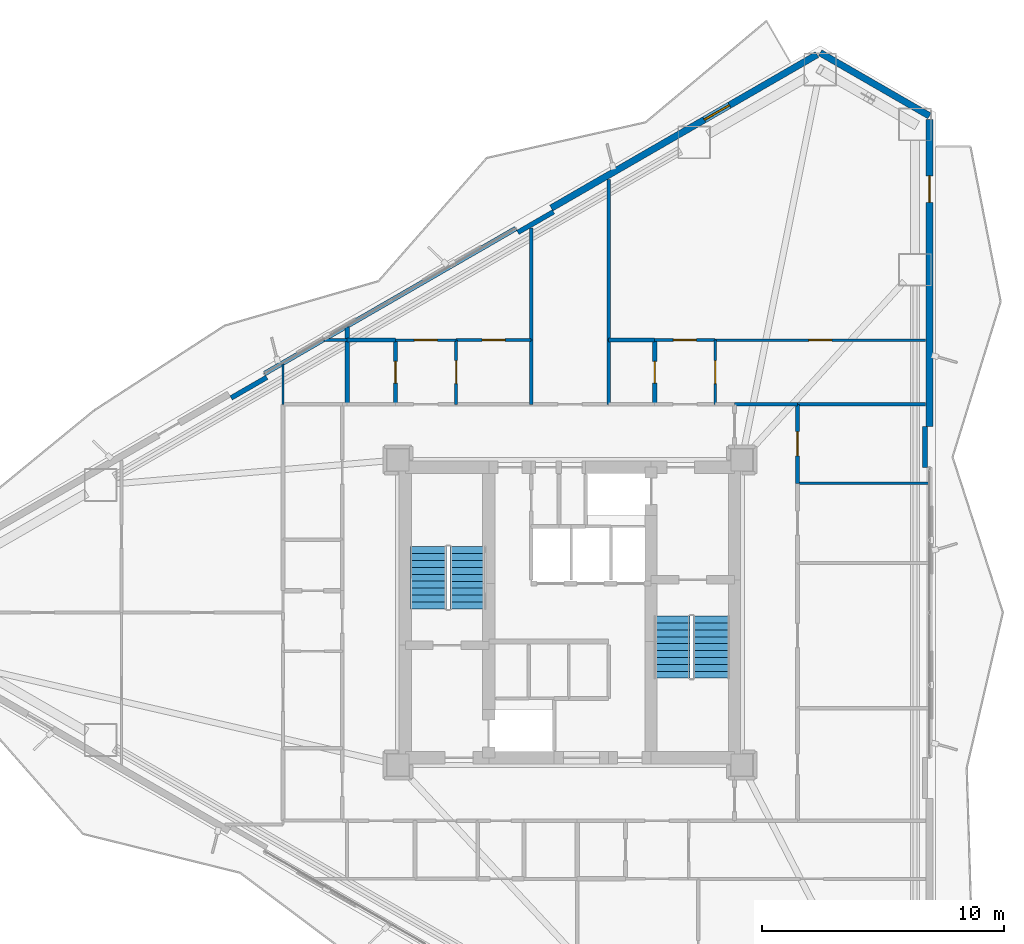
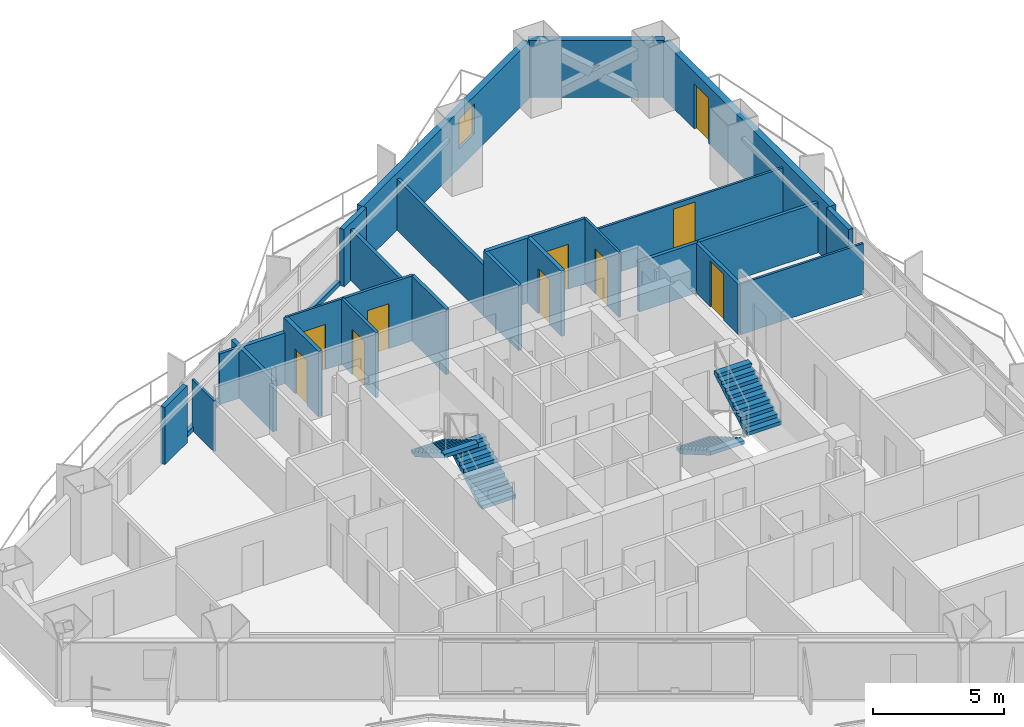
# One storey, part 16 of 19: 28 walls, 10 doors, 4 stair flights, 1 window, 11 openings, 2 elements without a shape of their own.
"""IFC4 building model written with IfcOpenShell, lengths in metres."""

from ifc_helpers import new_model, si_unit, direction, frame, frame_2d, origin, place, context, subcontext, project, spatial, polyline, rectangle, outline, extrude, material, layer, layer_set, type_object, element, fill, aggregate, save


model = new_model("IFC4")

# Units and contexts
model_context = context("Model", 3, precision=1e-05, world=origin(), true_north=direction((0.0, 1.0)))
body_context = subcontext(model_context, "Body", "Model", "MODEL_VIEW")
ifc_project = project(units=[si_unit("LENGTHUNIT", "METRE"), si_unit("AREAUNIT", "SQUARE_METRE"), si_unit("VOLUMEUNIT", "CUBIC_METRE"), si_unit("PLANEANGLEUNIT", "RADIAN"), si_unit("MASSUNIT", "GRAM", prefix="KILO")], contexts=[model_context])

# Site, building, storey
site_placement = place(None, origin())
site = spatial("IfcSite", under=ifc_project, at=site_placement, CompositionType="ELEMENT")
building_placement = place(site_placement, origin())
building = spatial("IfcBuilding", under=site, at=building_placement, Name="Mersakhor Tower and Convention Hall", CompositionType="ELEMENT")
storey_placement = place(building_placement, frame((0.0, 0.0, 48.89990234375)))
storey = spatial("IfcBuildingStorey", under=building, at=storey_placement, Name="L13", CompositionType="ELEMENT", Elevation=48.89990234375)

# Wall
ifc_material_1 = material(Name="Precast concrete C45/55", Category="concrete")
ifc_layer_1 = layer(ifc_material_1, 0.27490234375)
ifc_layer_set_1 = layer_set([ifc_layer_1], Name="Precast concrete C45/55")
wall_type_1 = type_object("IfcWallType", Name="WL-EXT-275", PredefinedType="SOLIDWALL", material=ifc_layer_set_1)
wall_1_placement = place(storey_placement, frame((39.3369140625, 49.865234375, 0.0), z_axis=(0.0, 0.0, 1.0), x_axis=(0.866043601342, -0.499968479581, 0.0)))
element("IfcWall", 1, at=wall_1_placement, inside=storey, type_object=wall_type_1, Name="L13 Chamfer Braced Spandrel Wall C1", PredefinedType="SOLIDWALL", context=body_context, shape_type="SweptSolid", body=[
    extrude(rectangle(XDim=5.211181640625, YDim=0.27490234375, at=frame_2d((2.60546875, 0.0))), origin(), (0.0, 0.0, 1.0), 2.66015625),
])

# Wall, opening, window
wall_2_placement = place(storey_placement, frame((28.231689453125, 43.453857421875, 0.0), z_axis=(0.0, 0.0, 1.0), x_axis=(0.86603192154, 0.499988710747, 0.0)))
wall_2 = element("IfcWall", 2, at=wall_2_placement, inside=storey, type_object=wall_type_1, Name="L13 Exterior Facade Wall F1-B3", PredefinedType="SOLIDWALL", context=body_context, shape_type="SweptSolid", body=[
    extrude(rectangle(XDim=12.673095703125, YDim=0.27490234375, at=frame_2d((6.33642578125, 0.0))), origin(), (0.0, 0.0, 1.0), 2.66015625),
])
opening_1_placement = place(wall_2_placement, frame((7.2939453125, 0.0, 0.89990234375)))
opening_1 = element("IfcOpeningElement", 3, at=opening_1_placement, cuts=wall_2, Name="Opening W-01", PredefinedType="OPENING", context=body_context, shape_type="SweptSolid", body=[
    extrude(rectangle(XDim=1.199951171875, YDim=1.39990234375, at=frame_2d((0.60009765625, 0.699951171875))), frame((0.0, 0.1474609375, 0.0), z_axis=(0.0, -1.0, 0.0), x_axis=(1.0, 0.0, 0.0)), (0.0, 0.0, 1.0), 0.294921875),
])
ifc_material_2 = material(Name="Dark solar low-E glazed aluminium window", Category="aluminium")
window_type = type_object("IfcWindowType", Name="WN-RES-120x150", PartitioningType="SINGLE_PANEL", PredefinedType="WINDOW", material=ifc_material_2)
window_placement = place(opening_1_placement, origin())
window = element("IfcWindow", 4, at=window_placement, inside=storey, type_object=window_type, Name="L13 Bedroom Facade Window F1-B3-1", OverallHeight=1.39990234375, OverallWidth=1.199951171875, PartitioningType="SINGLE_PANEL", PredefinedType="WINDOW", context=body_context, shape_type="SweptSolid", body=[
    extrude(rectangle(XDim=1.199951171875, YDim=1.39990234375, at=frame_2d((0.60009765625, 0.699951171875))), frame((0.0, 0.030029296875, 0.0), z_axis=(0.0, -1.0, 0.0), x_axis=(1.0, 0.0, 0.0)), (0.0, 0.0, 1.0), 0.06005859375),
])
fill(opening_1, window)

# Wall, opening, door
wall_3_placement = place(storey_placement, frame((43.85009765625, 47.109619140625, 0.0), z_axis=(0.0, 0.0, 1.0), x_axis=(0.0, -1.0, 0.0)))
wall_3 = element("IfcWall", 5, at=wall_3_placement, inside=storey, type_object=wall_type_1, Name="L13 Exterior Facade Wall F2-B1", PredefinedType="SOLIDWALL", context=body_context, shape_type="SweptSolid", body=[
    extrude(rectangle(XDim=12.673095703125, YDim=0.27490234375, at=frame_2d((6.33642578125, 0.0))), origin(), (0.0, 0.0, 1.0), 2.66015625),
])
opening_2_placement = place(wall_3_placement, frame((2.324951171875, 0.0, 0.0)))
opening_2 = element("IfcOpeningElement", 6, at=opening_2_placement, cuts=wall_3, Name="Opening BD-02", PredefinedType="OPENING", context=body_context, shape_type="SweptSolid", body=[
    extrude(rectangle(XDim=1.10009765625, YDim=2.10009765625, at=frame_2d((0.550048828125, 1.050048828125))), frame((0.0, 0.1474609375, 0.0), z_axis=(0.0, -1.0, 0.0), x_axis=(1.0, 0.0, 0.0)), (0.0, 0.0, 1.0), 0.294921875),
])
ifc_material_3 = material(Name="Thermally broken dark aluminium and safety glass", Category="aluminium")
door_type_1 = type_object("IfcDoorType", Name="DR-BAL-110x210", OperationType="NOTDEFINED", PredefinedType="DOOR", material=ifc_material_3)
door_1_placement = place(opening_2_placement, origin())
door_1 = element("IfcDoor", 7, at=door_1_placement, inside=storey, type_object=door_type_1, Name="L13 Balcony Terrace Door F2-B1", OperationType="SINGLE_SWING_RIGHT", OverallHeight=2.10009765625, OverallWidth=1.10009765625, PredefinedType="DOOR", context=body_context, shape_type="SweptSolid", body=[
    extrude(rectangle(XDim=1.10009765625, YDim=2.10009765625, at=frame_2d((0.550048828125, 1.050048828125))), frame((0.0, 0.02490234375, 0.0), z_axis=(0.0, -1.0, 0.0), x_axis=(1.0, 0.0, 0.0)), (0.0, 0.0, 1.0), 0.050048828125),
])
fill(opening_2, door_1)

# Walls
ifc_material_4 = material(Name="Precast concrete C40/50", Category="concrete")
ifc_layer_2 = layer(ifc_material_4, 0.199951171875)
ifc_layer_set_2 = layer_set([ifc_layer_2], Name="Precast concrete C40/50")
wall_type_2 = type_object("IfcWallType", Name="WL-PAR-200", PredefinedType="PARAPET", material=ifc_layer_set_2)
wall_4_placement = place(storey_placement, frame((16.390380859375, 36.6171875, 0.0), z_axis=(0.0, 0.0, 1.0), x_axis=(0.866027351828, 0.499996625875, 0.0)))
element("IfcWall", 8, at=wall_4_placement, inside=storey, type_object=wall_type_2, Name="L13 Curtain Wall Upstand Sill F1-B2", PredefinedType="PARAPET", context=body_context, shape_type="SweptSolid", body=[
    extrude(rectangle(XDim=11.97314453125, YDim=0.199951171875, at=frame_2d((5.986572265625, 0.0))), origin(), (0.0, 0.0, 1.0), 0.2001953125),
])
for number, where, z_axis, x_axis, name in (
    (9, (15.00830078125, 35.611328125, 0.0), (0.0, 0.0, 1.0), (0.86605165483, 0.499954529098, 0.0), "L13 Column Pier Cladding Wall F1-C1"),
    (10, (26.849609375, 42.447998046875, 0.0), (0.0, 0.0, 1.0), (0.86605165483, 0.499954529098, 0.0), "L13 Column Pier Cladding Wall F1-C2"),
    (11, (43.669921875, 34.4365234375, 0.0), (0.0, 0.0, 1.0), (0.0, -1.0, 0.0), "L13 Column Pier Cladding Wall F2-C1"),
):
    element("IfcWall", number, at=place(storey_placement, frame(where, z_axis=z_axis, x_axis=x_axis)), inside=storey, type_object=wall_type_2, Name=name, PredefinedType="PARAPET", context=body_context, shape_type="SweptSolid", body=[
        extrude(rectangle(XDim=1.699951171875, YDim=0.199951171875, at=frame_2d((0.85009765625, 0.0))), origin(), (0.0, 0.0, 1.0), 2.66015625),
    ])

# Wall, opening, door
ifc_material_5 = material(Name="Moisture-resistant acoustic drywall studwork", Category="other")
ifc_layer_3 = layer(ifc_material_5, 0.175048828125)
ifc_layer_set_3 = layer_set([ifc_layer_3], Name="Moisture-resistant acoustic drywall studwork")
wall_type_3 = type_object("IfcWallType", Name="WL-PLM-175", PredefinedType="PLUMBINGWALL", material=ifc_layer_set_3)
wall_5_placement = place(storey_placement, frame((21.800048828125, 35.35009765625, 0.0), z_axis=(0.0, 0.0, 1.0), x_axis=(0.0, 1.0, 0.0)))
wall_5 = element("IfcWall", 12, at=wall_5_placement, inside=storey, type_object=wall_type_3, Name="L13 Interior Partition Wall P-068", PredefinedType="PLUMBINGWALL", context=body_context, shape_type="SweptSolid", body=[
    extrude(rectangle(XDim=2.64990234375, YDim=0.175048828125, at=frame_2d((1.324951171875, 0.0))), origin(), (0.0, 0.0, 1.0), 3.0400390625),
])
opening_3_placement = place(wall_5_placement, frame((0.875, 0.0, 0.0)))
opening_3 = element("IfcOpeningElement", 13, at=opening_3_placement, cuts=wall_5, Name="Opening WD-01", PredefinedType="OPENING", context=body_context, shape_type="SweptSolid", body=[
    extrude(rectangle(XDim=0.89990234375, YDim=2.10009765625, at=frame_2d((0.449951171875, 1.050048828125))), frame((0.0, 0.097412109375, 0.0), z_axis=(0.0, -1.0, 0.0), x_axis=(1.0, 0.0, 0.0)), (0.0, 0.0, 1.0), 0.195068359375),
])
ifc_material_6 = material(Name="Solid-core hardwood leaf in painted steel frame", Category="steel")
door_type_2 = type_object("IfcDoorType", Name="DR-INT-WET-090x210", OperationType="NOTDEFINED", PredefinedType="DOOR", material=ifc_material_6)
door_2_placement = place(opening_3_placement, origin())
door_2 = element("IfcDoor", 14, at=door_2_placement, inside=storey, type_object=door_type_2, Name="L13 L13 Flat N1 Apartment Hall to L13 Flat N1 Bathroom Door", OperationType="SINGLE_SWING_RIGHT", OverallHeight=2.10009765625, OverallWidth=0.89990234375, PredefinedType="DOOR", context=body_context, shape_type="SweptSolid", body=[
    extrude(rectangle(XDim=0.89990234375, YDim=2.10009765625, at=frame_2d((0.449951171875, 1.050048828125))), frame((0.0, 0.02490234375, 0.0), z_axis=(0.0, -1.0, 0.0), x_axis=(1.0, 0.0, 0.0)), (0.0, 0.0, 1.0), 0.050048828125),
])
fill(opening_3, door_2)

wall_6_placement = place(storey_placement, frame((32.5, 35.35009765625, 0.0), z_axis=(0.0, 0.0, 1.0), x_axis=(0.0, 1.0, 0.0)))
wall_6 = element("IfcWall", 15, at=wall_6_placement, inside=storey, type_object=wall_type_3, Name="L13 Interior Partition Wall P-071", PredefinedType="PLUMBINGWALL", context=body_context, shape_type="SweptSolid", body=[
    extrude(rectangle(XDim=2.64990234375, YDim=0.175048828125, at=frame_2d((1.324951171875, 0.0))), origin(), (0.0, 0.0, 1.0), 3.0400390625),
])
opening_4_placement = place(wall_6_placement, frame((0.875, 0.0, 0.0)))
opening_4 = element("IfcOpeningElement", 16, at=opening_4_placement, cuts=wall_6, Name="Opening WD-01", PredefinedType="OPENING", context=body_context, shape_type="SweptSolid", body=[
    extrude(rectangle(XDim=0.89990234375, YDim=2.10009765625, at=frame_2d((0.449951171875, 1.050048828125))), frame((0.0, 0.097412109375, 0.0), z_axis=(0.0, -1.0, 0.0), x_axis=(1.0, 0.0, 0.0)), (0.0, 0.0, 1.0), 0.195068359375),
])
door_3_placement = place(opening_4_placement, origin())
door_3 = element("IfcDoor", 17, at=door_3_placement, inside=storey, type_object=door_type_2, Name="L13 L13 Flat N2 Apartment Hall to L13 Flat N2 Bathroom Door", OperationType="SINGLE_SWING_LEFT", OverallHeight=2.10009765625, OverallWidth=0.89990234375, PredefinedType="DOOR", context=body_context, shape_type="SweptSolid", body=[
    extrude(rectangle(XDim=0.89990234375, YDim=2.10009765625, at=frame_2d((0.449951171875, 1.050048828125))), frame((0.0, 0.02490234375, 0.0), z_axis=(0.0, -1.0, 0.0), x_axis=(1.0, 0.0, 0.0)), (0.0, 0.0, 1.0), 0.050048828125),
])
fill(opening_4, door_3)

# Walls
wall_7_placement = place(storey_placement, frame((19.800048828125, 38.0, 0.0), z_axis=(0.0, 0.0, 1.0), x_axis=(1.0, 0.0, 0.0)))
element("IfcWall", 18, at=wall_7_placement, inside=storey, type_object=wall_type_3, Name="L13 Interior Partition Wall P-079", PredefinedType="PLUMBINGWALL", context=body_context, shape_type="SweptSolid", body=[
    extrude(rectangle(XDim=2.0, YDim=0.175048828125, at=frame_2d((1.0, 0.0))), origin(), (0.0, 0.0, 1.0), 2.364990234375),
])
wall_8_placement = place(storey_placement, frame((19.800048828125, 35.35009765625, 0.0), z_axis=(0.0, 0.0, 1.0), x_axis=(0.0, 1.0, 0.0)))
element("IfcWall", 19, at=wall_8_placement, inside=storey, type_object=wall_type_3, Name="L13 Interior Partition Wall P-080", PredefinedType="PLUMBINGWALL", context=body_context, shape_type="SweptSolid", body=[
    extrude(rectangle(XDim=3.194091796875, YDim=0.175048828125, at=frame_2d((1.59716796875, 0.0))), origin(), (0.0, 0.0, 1.0), 2.364990234375),
])
wall_9_placement = place(storey_placement, frame((30.60009765625, 38.0, 0.0), z_axis=(0.0, 0.0, 1.0), x_axis=(1.0, 0.0, 0.0)))
element("IfcWall", 20, at=wall_9_placement, inside=storey, type_object=wall_type_3, Name="L13 Interior Partition Wall P-083", PredefinedType="PLUMBINGWALL", context=body_context, shape_type="SweptSolid", body=[
    extrude(rectangle(XDim=1.89990234375, YDim=0.175048828125, at=frame_2d((0.949951171875, 0.0))), origin(), (0.0, 0.0, 1.0), 3.0400390625),
])

# Wall, opening, door
ifc_material_7 = material(Name="Lightweight gypsum partition", Category="other")
ifc_layer_4 = layer(ifc_material_7, 0.10009765625)
ifc_layer_set_4 = layer_set([ifc_layer_4], Name="Lightweight gypsum partition")
wall_type_4 = type_object("IfcWallType", Name="WL-PRT-100", PredefinedType="PARTITIONING", material=ifc_layer_set_4)
wall_10_placement = place(storey_placement, frame((21.800048828125, 38.0, 0.0), z_axis=(0.0, 0.0, 1.0), x_axis=(1.0, 0.0, 0.0)))
wall_10 = element("IfcWall", 21, at=wall_10_placement, inside=storey, type_object=wall_type_4, Name="L13 Interior Partition Wall P-066", PredefinedType="PARTITIONING", context=body_context, shape_type="SweptSolid", body=[
    extrude(rectangle(XDim=2.5, YDim=0.10009765625, at=frame_2d((1.25, 0.0))), origin(), (0.0, 0.0, 1.0), 3.0400390625),
])
opening_5_placement = place(wall_10_placement, frame((0.77490234375, 0.0, 0.0)))
opening_5 = element("IfcOpeningElement", 22, at=opening_5_placement, cuts=wall_10, Name="Opening RD-01", PredefinedType="OPENING", context=body_context, shape_type="SweptSolid", body=[
    extrude(rectangle(XDim=0.949951171875, YDim=2.10009765625, at=frame_2d((0.47509765625, 1.050048828125))), frame((0.0, 0.06005859375, 0.0), z_axis=(0.0, -1.0, 0.0), x_axis=(1.0, 0.0, 0.0)), (0.0, 0.0, 1.0), 0.1201171875),
])
ifc_material_8 = material(Name="Solid-core hardwood leaf in painted steel frame", Category="steel")
door_type_3 = type_object("IfcDoorType", Name="DR-INT-RM-095x210", OperationType="NOTDEFINED", PredefinedType="DOOR", material=ifc_material_8)
door_4_placement = place(opening_5_placement, origin())
door_4 = element("IfcDoor", 23, at=door_4_placement, inside=storey, type_object=door_type_3, Name="L13 L13 Flat N1 Apartment Hall to L13 Flat N1 Studio Living and Sleeping Room Door", OperationType="SINGLE_SWING_RIGHT", OverallHeight=2.10009765625, OverallWidth=0.949951171875, PredefinedType="DOOR", context=body_context, shape_type="SweptSolid", body=[
    extrude(rectangle(XDim=0.949951171875, YDim=2.10009765625, at=frame_2d((0.47509765625, 1.050048828125))), frame((0.0, 0.02490234375, 0.0), z_axis=(0.0, -1.0, 0.0), x_axis=(1.0, 0.0, 0.0)), (0.0, 0.0, 1.0), 0.050048828125),
])
fill(opening_5, door_4)

wall_11_placement = place(storey_placement, frame((35.0, 38.0, 0.0), z_axis=(0.0, 0.0, 1.0), x_axis=(0.0, -1.0, 0.0)))
wall_11 = element("IfcWall", 24, at=wall_11_placement, inside=storey, type_object=wall_type_4, Name="L13 Interior Partition Wall P-070", PredefinedType="PARTITIONING", context=body_context, shape_type="SweptSolid", body=[
    extrude(rectangle(XDim=2.64990234375, YDim=0.10009765625, at=frame_2d((1.324951171875, 0.0))), origin(), (0.0, 0.0, 1.0), 3.0400390625),
])
opening_6_placement = place(wall_11_placement, frame((0.85009765625, 0.0, 0.0)))
opening_6 = element("IfcOpeningElement", 25, at=opening_6_placement, cuts=wall_11, Name="Opening RD-01", PredefinedType="OPENING", context=body_context, shape_type="SweptSolid", body=[
    extrude(rectangle(XDim=0.949951171875, YDim=2.10009765625, at=frame_2d((0.47509765625, 1.050048828125))), frame((0.0, 0.06005859375, 0.0), z_axis=(0.0, -1.0, 0.0), x_axis=(1.0, 0.0, 0.0)), (0.0, 0.0, 1.0), 0.1201171875),
])
door_5_placement = place(opening_6_placement, origin())
door_5 = element("IfcDoor", 26, at=door_5_placement, inside=storey, type_object=door_type_3, Name="L13 L13 Flat N2 Apartment Hall to L13 Flat N2 Kitchen Door", OperationType="SINGLE_SWING_RIGHT", OverallHeight=2.10009765625, OverallWidth=0.949951171875, PredefinedType="DOOR", context=body_context, shape_type="SweptSolid", body=[
    extrude(rectangle(XDim=0.949951171875, YDim=2.10009765625, at=frame_2d((0.47509765625, 1.050048828125))), frame((0.0, 0.02490234375, 0.0), z_axis=(0.0, -1.0, 0.0), x_axis=(1.0, 0.0, 0.0)), (0.0, 0.0, 1.0), 0.050048828125),
])
fill(opening_6, door_5)

wall_12_placement = place(storey_placement, frame((35.0, 38.0, 0.0), z_axis=(0.0, 0.0, 1.0), x_axis=(1.0, 0.0, 0.0)))
wall_12 = element("IfcWall", 27, at=wall_12_placement, inside=storey, type_object=wall_type_4, Name="L13 Interior Partition Wall P-086", PredefinedType="PARTITIONING", context=body_context, shape_type="SweptSolid", body=[
    extrude(rectangle(XDim=8.6884765625, YDim=0.10009765625, at=frame_2d((4.34423828125, 0.0))), origin(), (0.0, 0.0, 1.0), 2.337646484375),
])
opening_7_placement = place(wall_12_placement, frame((3.869140625, 0.0, 0.0)))
opening_7 = element("IfcOpeningElement", 28, at=opening_7_placement, cuts=wall_12, Name="Opening RD-01", PredefinedType="OPENING", context=body_context, shape_type="SweptSolid", body=[
    extrude(rectangle(XDim=0.949951171875, YDim=2.10009765625, at=frame_2d((0.47509765625, 1.050048828125))), frame((0.0, 0.06005859375, 0.0), z_axis=(0.0, -1.0, 0.0), x_axis=(1.0, 0.0, 0.0)), (0.0, 0.0, 1.0), 0.1201171875),
])
door_6_placement = place(opening_7_placement, origin())
door_6 = element("IfcDoor", 29, at=door_6_placement, inside=storey, type_object=door_type_3, Name="L13 L13 Flat N2 Kitchen to L13 Flat N2 Studio Living and Sleeping Room Door", OperationType="SINGLE_SWING_LEFT", OverallHeight=2.10009765625, OverallWidth=0.949951171875, PredefinedType="DOOR", context=body_context, shape_type="SweptSolid", body=[
    extrude(rectangle(XDim=0.949951171875, YDim=2.10009765625, at=frame_2d((0.47509765625, 1.050048828125))), frame((0.0, 0.02490234375, 0.0), z_axis=(0.0, -1.0, 0.0), x_axis=(1.0, 0.0, 0.0)), (0.0, 0.0, 1.0), 0.050048828125),
])
fill(opening_7, door_6)

# Walls
wall_13_placement = place(storey_placement, frame((38.39990234375, 32.080078125, 0.0), z_axis=(0.0, 0.0, 1.0), x_axis=(1.0, 0.0, 0.0)))
element("IfcWall", 30, at=wall_13_placement, inside=storey, type_object=wall_type_4, Name="L13 Interior Partition Wall P-106", PredefinedType="PARTITIONING", context=body_context, shape_type="SweptSolid", body=[
    extrude(rectangle(XDim=5.4140625, YDim=0.10009765625, at=frame_2d((2.70703125, 0.0))), origin(), (0.0, 0.0, 1.0), 2.364990234375),
])
wall_14_placement = place(storey_placement, frame((17.14990234375, 37.01416015625, 0.0), z_axis=(0.0, 0.0, 1.0), x_axis=(0.0, -1.0, 0.0)))
element("IfcWall", 31, at=wall_14_placement, inside=storey, type_object=wall_type_4, Name="L13 Interior Partition Wall P-126", PredefinedType="PARTITIONING", context=body_context, shape_type="SweptSolid", body=[
    extrude(rectangle(XDim=1.6640625, YDim=0.10009765625, at=frame_2d((0.83203125, 0.0))), origin(), (0.0, 0.0, 1.0), 2.364990234375),
])

# Wall, opening, door
ifc_material_9 = material(Name="Gypsum board acoustic partition", Category="other")
ifc_layer_5 = layer(ifc_material_9, 0.125)
ifc_layer_set_5 = layer_set([ifc_layer_5], Name="Gypsum board acoustic partition")
wall_type_5 = type_object("IfcWallType", Name="WL-PRT-125", PredefinedType="PARTITIONING", material=ifc_layer_set_5)
wall_15_placement = place(storey_placement, frame((24.300048828125, 38.0, 0.0), z_axis=(0.0, 0.0, 1.0), x_axis=(0.0, -1.0, 0.0)))
wall_15 = element("IfcWall", 32, at=wall_15_placement, inside=storey, type_object=wall_type_5, Name="L13 Interior Partition Wall P-067", PredefinedType="PARTITIONING", context=body_context, shape_type="SweptSolid", body=[
    extrude(rectangle(XDim=2.64990234375, YDim=0.125, at=frame_2d((1.324951171875, 0.0))), origin(), (0.0, 0.0, 1.0), 3.0400390625),
])
opening_8_placement = place(wall_15_placement, frame((0.85009765625, 0.0, 0.0)))
opening_8 = element("IfcOpeningElement", 33, at=opening_8_placement, cuts=wall_15, Name="Opening RD-01", PredefinedType="OPENING", context=body_context, shape_type="SweptSolid", body=[
    extrude(rectangle(XDim=0.949951171875, YDim=2.10009765625, at=frame_2d((0.47509765625, 1.050048828125))), frame((0.0, 0.072509765625, 0.0), z_axis=(0.0, -1.0, 0.0), x_axis=(1.0, 0.0, 0.0)), (0.0, 0.0, 1.0), 0.14501953125),
])
door_7_placement = place(opening_8_placement, origin())
door_7 = element("IfcDoor", 34, at=door_7_placement, inside=storey, type_object=door_type_3, Name="L13 L13 Flat N1 Apartment Hall to L13 Flat N1 Kitchen Door", OperationType="SINGLE_SWING_LEFT", OverallHeight=2.10009765625, OverallWidth=0.949951171875, PredefinedType="DOOR", context=body_context, shape_type="SweptSolid", body=[
    extrude(rectangle(XDim=0.949951171875, YDim=2.10009765625, at=frame_2d((0.47509765625, 1.050048828125))), frame((0.0, 0.02490234375, 0.0), z_axis=(0.0, -1.0, 0.0), x_axis=(1.0, 0.0, 0.0)), (0.0, 0.0, 1.0), 0.050048828125),
])
fill(opening_8, door_7)

wall_16_placement = place(storey_placement, frame((32.5, 38.0, 0.0), z_axis=(0.0, 0.0, 1.0), x_axis=(1.0, 0.0, 0.0)))
wall_16 = element("IfcWall", 35, at=wall_16_placement, inside=storey, type_object=wall_type_5, Name="L13 Interior Partition Wall P-069", PredefinedType="PARTITIONING", context=body_context, shape_type="SweptSolid", body=[
    extrude(rectangle(XDim=2.5, YDim=0.125, at=frame_2d((1.25, 0.0))), origin(), (0.0, 0.0, 1.0), 3.0400390625),
])
opening_9_placement = place(wall_16_placement, frame((0.77490234375, 0.0, 0.0)))
opening_9 = element("IfcOpeningElement", 36, at=opening_9_placement, cuts=wall_16, Name="Opening RD-01", PredefinedType="OPENING", context=body_context, shape_type="SweptSolid", body=[
    extrude(rectangle(XDim=0.949951171875, YDim=2.10009765625, at=frame_2d((0.47509765625, 1.050048828125))), frame((0.0, 0.072509765625, 0.0), z_axis=(0.0, -1.0, 0.0), x_axis=(1.0, 0.0, 0.0)), (0.0, 0.0, 1.0), 0.14501953125),
])
door_8_placement = place(opening_9_placement, origin())
door_8 = element("IfcDoor", 37, at=door_8_placement, inside=storey, type_object=door_type_3, Name="L13 L13 Flat N2 Apartment Hall to L13 Flat N2 Studio Living and Sleeping Room Door", OperationType="SINGLE_SWING_LEFT", OverallHeight=2.10009765625, OverallWidth=0.949951171875, PredefinedType="DOOR", context=body_context, shape_type="SweptSolid", body=[
    extrude(rectangle(XDim=0.949951171875, YDim=2.10009765625, at=frame_2d((0.47509765625, 1.050048828125))), frame((0.0, 0.02490234375, 0.0), z_axis=(0.0, -1.0, 0.0), x_axis=(1.0, 0.0, 0.0)), (0.0, 0.0, 1.0), 0.050048828125),
])
fill(opening_9, door_8)

wall_17_placement = place(storey_placement, frame((24.300048828125, 38.0, 0.0), z_axis=(0.0, 0.0, 1.0), x_axis=(1.0, 0.0, 0.0)))
wall_17 = element("IfcWall", 38, at=wall_17_placement, inside=storey, type_object=wall_type_5, Name="L13 Interior Partition Wall P-081", PredefinedType="PARTITIONING", context=body_context, shape_type="SweptSolid", body=[
    extrude(rectangle(XDim=3.099853515625, YDim=0.125, at=frame_2d((1.5498046875, 0.0))), origin(), (0.0, 0.0, 1.0), 3.0400390625),
])
opening_10_placement = place(wall_17_placement, frame((1.074951171875, 0.0, 0.0)))
opening_10 = element("IfcOpeningElement", 39, at=opening_10_placement, cuts=wall_17, Name="Opening RD-01", PredefinedType="OPENING", context=body_context, shape_type="SweptSolid", body=[
    extrude(rectangle(XDim=0.949951171875, YDim=2.10009765625, at=frame_2d((0.47509765625, 1.050048828125))), frame((0.0, 0.072509765625, 0.0), z_axis=(0.0, -1.0, 0.0), x_axis=(1.0, 0.0, 0.0)), (0.0, 0.0, 1.0), 0.14501953125),
])
door_9_placement = place(opening_10_placement, origin())
door_9 = element("IfcDoor", 40, at=door_9_placement, inside=storey, type_object=door_type_3, Name="L13 L13 Flat N1 Kitchen to L13 Flat N1 Studio Living and Sleeping Room Door", OperationType="SINGLE_SWING_RIGHT", OverallHeight=2.10009765625, OverallWidth=0.949951171875, PredefinedType="DOOR", context=body_context, shape_type="SweptSolid", body=[
    extrude(rectangle(XDim=0.949951171875, YDim=2.10009765625, at=frame_2d((0.47509765625, 1.050048828125))), frame((0.0, 0.02490234375, 0.0), z_axis=(0.0, -1.0, 0.0), x_axis=(1.0, 0.0, 0.0)), (0.0, 0.0, 1.0), 0.050048828125),
])
fill(opening_10, door_9)

# Walls
wall_18_placement = place(storey_placement, frame((19.800048828125, 38.0, 0.0), z_axis=(0.0, 0.0, 1.0), x_axis=(-1.0, 0.0, 0.0)))
element("IfcWall", 41, at=wall_18_placement, inside=storey, type_object=wall_type_5, Name="L13 Interior Partition Wall P-109", PredefinedType="PARTITIONING", context=body_context, shape_type="SweptSolid", body=[
    extrude(rectangle(XDim=0.948974609375, YDim=0.125, at=frame_2d((0.474609375, 0.0))), origin(), (0.0, 0.0, 1.0), 2.364990234375),
])
ifc_material_10 = material(Name="Fire-rated gypsum board stud partition", Category="other")
ifc_layer_6 = layer(ifc_material_10, 0.14990234375)
ifc_layer_set_6 = layer_set([ifc_layer_6], Name="Fire-rated gypsum board stud partition")
wall_type_6 = type_object("IfcWallType", Name="WL-PRT-150", PredefinedType="PARTITIONING", material=ifc_layer_set_6)
wall_19_placement = place(storey_placement, frame((35.800048828125, 35.35009765625, 0.0), z_axis=(0.0, 0.0, 1.0), x_axis=(1.0, 0.0, 0.0)))
element("IfcWall", 42, at=wall_19_placement, inside=storey, type_object=wall_type_6, Name="L13 Interior Partition Wall P-058", PredefinedType="PARTITIONING", context=body_context, shape_type="SweptSolid", body=[
    extrude(rectangle(XDim=2.599853515625, YDim=0.14990234375, at=frame_2d((1.2998046875, 0.0))), origin(), (0.0, 0.0, 1.0), 2.337646484375),
])

# Wall, opening, door
wall_20_placement = place(storey_placement, frame((38.39990234375, 35.35009765625, 0.0), z_axis=(0.0, 0.0, 1.0), x_axis=(0.0, -1.0, 0.0)))
wall_20 = element("IfcWall", 43, at=wall_20_placement, inside=storey, type_object=wall_type_6, Name="L13 Interior Partition Wall P-059", PredefinedType="PARTITIONING", context=body_context, shape_type="SweptSolid", body=[
    extrude(rectangle(XDim=3.27001953125, YDim=0.14990234375, at=frame_2d((1.635009765625, 0.0))), origin(), (0.0, 0.0, 1.0), 2.337646484375),
])
opening_11_placement = place(wall_20_placement, frame((1.135009765625, 0.0, 0.0)))
opening_11 = element("IfcOpeningElement", 44, at=opening_11_placement, cuts=wall_20, Name="Opening FD-01", PredefinedType="OPENING", context=body_context, shape_type="SweptSolid", body=[
    extrude(rectangle(XDim=1.0, YDim=2.14990234375, at=frame_2d((0.5, 1.074951171875))), frame((0.0, 0.0849609375, 0.0), z_axis=(0.0, -1.0, 0.0), x_axis=(1.0, 0.0, 0.0)), (0.0, 0.0, 1.0), 0.169921875),
])
ifc_material_11 = material(Name="Fire-rated hardwood leaf and painted steel frame", Category="steel")
door_type_4 = type_object("IfcDoorType", Name="DR-INT-FLT-100x215", OperationType="NOTDEFINED", PredefinedType="DOOR", material=ifc_material_11)
door_10_placement = place(opening_11_placement, origin())
door_10 = element("IfcDoor", 45, at=door_10_placement, inside=storey, type_object=door_type_4, Name="L13 Residential Ring East Corridor to L13 East Wing Shared Study Room Annex Door", OperationType="SINGLE_SWING_LEFT", OverallHeight=2.14990234375, OverallWidth=1.0, PredefinedType="DOOR", context=body_context, shape_type="SweptSolid", body=[
    extrude(rectangle(XDim=1.0, YDim=2.14990234375, at=frame_2d((0.5, 1.074951171875))), frame((0.0, 0.02490234375, 0.0), z_axis=(0.0, -1.0, 0.0), x_axis=(1.0, 0.0, 0.0)), (0.0, 0.0, 1.0), 0.050048828125),
])
fill(opening_11, door_10)

# Walls
for number, where, z_axis, x_axis, name in (
    (46, (27.39990234375, 38.0, 0.0), (0.0, 0.0, 1.0), (0.0, -1.0, 0.0), "L13 Interior Partition Wall P-082"),
    (47, (30.60009765625, 35.35009765625, 0.0), (0.0, 0.0, 1.0), (0.0, 1.0, 0.0), "L13 Interior Partition Wall P-084"),
):
    element("IfcWall", number, at=place(storey_placement, frame(where, z_axis=z_axis, x_axis=x_axis)), inside=storey, type_object=wall_type_6, Name=name, PredefinedType="PARTITIONING", context=body_context, shape_type="SweptSolid", body=[
        extrude(rectangle(XDim=2.64990234375, YDim=0.14990234375, at=frame_2d((1.324951171875, 0.0))), origin(), (0.0, 0.0, 1.0), 3.0400390625),
    ])
wall_21_placement = place(storey_placement, frame((43.6884765625, 35.35009765625, 0.0), z_axis=(0.0, 0.0, 1.0), x_axis=(-1.0, 0.0, 0.0)))
element("IfcWall", 48, at=wall_21_placement, inside=storey, type_object=wall_type_6, Name="L13 Interior Partition Wall P-085", PredefinedType="PARTITIONING", context=body_context, shape_type="SweptSolid", body=[
    extrude(rectangle(XDim=5.28857421875, YDim=0.14990234375, at=frame_2d((2.644287109375, 0.0))), origin(), (0.0, 0.0, 1.0), 2.337646484375),
])
wall_22_placement = place(storey_placement, frame((30.60009765625, 44.634521484375, 0.0), z_axis=(0.0, 0.0, 1.0), x_axis=(0.0, -1.0, 0.0)))
element("IfcWall", 49, at=wall_22_placement, inside=storey, type_object=wall_type_6, Name="L13 Interior Partition Wall P-100", PredefinedType="PARTITIONING", context=body_context, shape_type="SweptSolid", body=[
    extrude(rectangle(XDim=6.634521484375, YDim=0.14990234375, at=frame_2d((3.3173828125, 0.0))), origin(), (0.0, 0.0, 1.0), 2.364990234375),
])
wall_23_placement = place(storey_placement, frame((27.39990234375, 38.0, 0.0), z_axis=(0.0, 0.0, 1.0), x_axis=(0.0, 1.0, 0.0)))
element("IfcWall", 50, at=wall_23_placement, inside=storey, type_object=wall_type_6, Name="L13 Interior Partition Wall P-101", PredefinedType="PARTITIONING", context=body_context, shape_type="SweptSolid", body=[
    extrude(rectangle(XDim=4.62255859375, YDim=0.14990234375, at=frame_2d((2.311279296875, 0.0))), origin(), (0.0, 0.0, 1.0), 2.364990234375),
])

# Stair, stair flights
ifc_material_12 = material(Name="Concrete C45/55", Category="concrete")
stair_type = type_object("IfcStairType", Name="ST-TWR-20R", PredefinedType="HALF_TURN_STAIR", material=ifc_material_12)
stair_1_placement = place(storey_placement, origin())
stair_1 = element("IfcStair", 51, at=stair_1_placement, inside=storey, type_object=stair_type, Name="L13 Tower Protected Exit Stair ST-1", PredefinedType="HALF_TURN_STAIR")
ifc_material_13 = material(Name="Concrete C45/55", Category="concrete")
stair_flight_type = type_object("IfcStairFlightType", Name="SFL-TWR-20R", PredefinedType="STRAIGHT", material=ifc_material_13)
stair_flight_1_placement = place(storey_placement, frame((24.800048828125, 26.89990234375, 0.0), z_axis=(0.0, 0.0, 1.0), x_axis=(0.0, 1.0, 0.0)))
stair_flight_1 = element("IfcStairFlight", 52, at=stair_flight_1_placement, type_object=stair_flight_type, Name="ST-1 flight 1", NumberOfRisers=10, NumberOfTreads=9, PredefinedType="STRAIGHT", RiserHeight=0.165, TreadLength=0.285, context=body_context, shape_type="SweptSolid", body=[
    extrude(outline(polyline([(0.0, 0.0), (0.0, 0.1650390625), (0.284912109375, 0.1650390625), (0.284912109375, 0.330078125), (0.570068359375, 0.330078125), (0.570068359375, 0.4951171875), (0.85498046875, 0.4951171875), (0.85498046875, 0.659912109375), (1.139892578125, 0.659912109375), (1.139892578125, 0.824951171875), (1.425048828125, 0.824951171875), (1.425048828125, 0.989990234375), (1.7099609375, 0.989990234375), (1.7099609375, 1.155029296875), (1.9951171875, 1.155029296875), (1.9951171875, 1.320068359375), (2.280029296875, 1.320068359375), (2.280029296875, 1.485107421875), (2.56494140625, 1.485107421875), (2.56494140625, 1.64990234375), (2.56494140625, 1.311767578125), (0.299072265625, 0.0), (0.0, 0.0)])), frame((0.0, 0.75, 0.0), z_axis=(0.0, -1.0, 0.0), x_axis=(1.0, 0.0, 0.0)), (0.0, 0.0, 1.0), 1.5),
])
stair_flight_2_placement = place(storey_placement, frame((23.14990234375, 29.465087890625, 1.650146484375), z_axis=(0.0, 0.0, 1.0), x_axis=(0.0, -1.0, 0.0)))
stair_flight_2 = element("IfcStairFlight", 53, at=stair_flight_2_placement, type_object=stair_flight_type, Name="ST-1 flight 2", NumberOfRisers=10, NumberOfTreads=9, PredefinedType="STRAIGHT", RiserHeight=0.165, TreadLength=0.285, context=body_context, shape_type="SweptSolid", body=[
    extrude(outline(polyline([(0.0, 0.0), (0.0, 0.1650390625), (0.284912109375, 0.1650390625), (0.284912109375, 0.330078125), (0.570068359375, 0.330078125), (0.570068359375, 0.4951171875), (0.85498046875, 0.4951171875), (0.85498046875, 0.659912109375), (1.139892578125, 0.659912109375), (1.139892578125, 0.824951171875), (1.425048828125, 0.824951171875), (1.425048828125, 0.989990234375), (1.7099609375, 0.989990234375), (1.7099609375, 1.155029296875), (1.9951171875, 1.155029296875), (1.9951171875, 1.320068359375), (2.280029296875, 1.320068359375), (2.280029296875, 1.485107421875), (2.56494140625, 1.485107421875), (2.56494140625, 1.64990234375), (2.56494140625, 1.311767578125), (0.299072265625, 0.0), (0.0, 0.0)])), frame((0.0, 0.75, 0.0), z_axis=(0.0, -1.0, 0.0), x_axis=(1.0, 0.0, 0.0)), (0.0, 0.0, 1.0), 1.5),
])
aggregate(stair_1, [stair_flight_1, stair_flight_2])

stair_2_placement = place(storey_placement, origin())
stair_2 = element("IfcStair", 54, at=stair_2_placement, inside=storey, type_object=stair_type, Name="L13 Tower Protected Exit Stair ST-2", PredefinedType="HALF_TURN_STAIR")
stair_flight_3_placement = place(storey_placement, frame((33.199951171875, 26.60009765625, 0.0), z_axis=(0.0, 0.0, 1.0), x_axis=(0.0, -1.0, 0.0)))
stair_flight_3 = element("IfcStairFlight", 55, at=stair_flight_3_placement, type_object=stair_flight_type, Name="ST-2 flight 1", NumberOfRisers=10, NumberOfTreads=9, PredefinedType="STRAIGHT", RiserHeight=0.165, TreadLength=0.285, context=body_context, shape_type="SweptSolid", body=[
    extrude(outline(polyline([(0.0, 0.0), (0.0, 0.1650390625), (0.284912109375, 0.1650390625), (0.284912109375, 0.330078125), (0.570068359375, 0.330078125), (0.570068359375, 0.4951171875), (0.85498046875, 0.4951171875), (0.85498046875, 0.659912109375), (1.139892578125, 0.659912109375), (1.139892578125, 0.824951171875), (1.425048828125, 0.824951171875), (1.425048828125, 0.989990234375), (1.7099609375, 0.989990234375), (1.7099609375, 1.155029296875), (1.9951171875, 1.155029296875), (1.9951171875, 1.320068359375), (2.280029296875, 1.320068359375), (2.280029296875, 1.485107421875), (2.56494140625, 1.485107421875), (2.56494140625, 1.64990234375), (2.56494140625, 1.311767578125), (0.299072265625, 0.0), (0.0, 0.0)])), frame((0.0, 0.75, 0.0), z_axis=(0.0, -1.0, 0.0), x_axis=(1.0, 0.0, 0.0)), (0.0, 0.0, 1.0), 1.5),
])
stair_flight_4_placement = place(storey_placement, frame((34.85009765625, 24.034912109375, 1.650146484375), z_axis=(0.0, 0.0, 1.0), x_axis=(0.0, 1.0, 0.0)))
stair_flight_4 = element("IfcStairFlight", 56, at=stair_flight_4_placement, type_object=stair_flight_type, Name="ST-2 flight 2", NumberOfRisers=10, NumberOfTreads=9, PredefinedType="STRAIGHT", RiserHeight=0.165, TreadLength=0.285, context=body_context, shape_type="SweptSolid", body=[
    extrude(outline(polyline([(0.0, 0.0), (0.0, 0.1650390625), (0.284912109375, 0.1650390625), (0.284912109375, 0.330078125), (0.570068359375, 0.330078125), (0.570068359375, 0.4951171875), (0.85498046875, 0.4951171875), (0.85498046875, 0.659912109375), (1.139892578125, 0.659912109375), (1.139892578125, 0.824951171875), (1.425048828125, 0.824951171875), (1.425048828125, 0.989990234375), (1.7099609375, 0.989990234375), (1.7099609375, 1.155029296875), (1.9951171875, 1.155029296875), (1.9951171875, 1.320068359375), (2.280029296875, 1.320068359375), (2.280029296875, 1.485107421875), (2.56494140625, 1.485107421875), (2.56494140625, 1.64990234375), (2.56494140625, 1.311767578125), (0.299072265625, 0.0), (0.0, 0.0)])), frame((0.0, 0.75, 0.0), z_axis=(0.0, -1.0, 0.0), x_axis=(1.0, 0.0, 0.0)), (0.0, 0.0, 1.0), 1.5),
])
aggregate(stair_2, [stair_flight_3, stair_flight_4])

save(model, "model.ifc")
